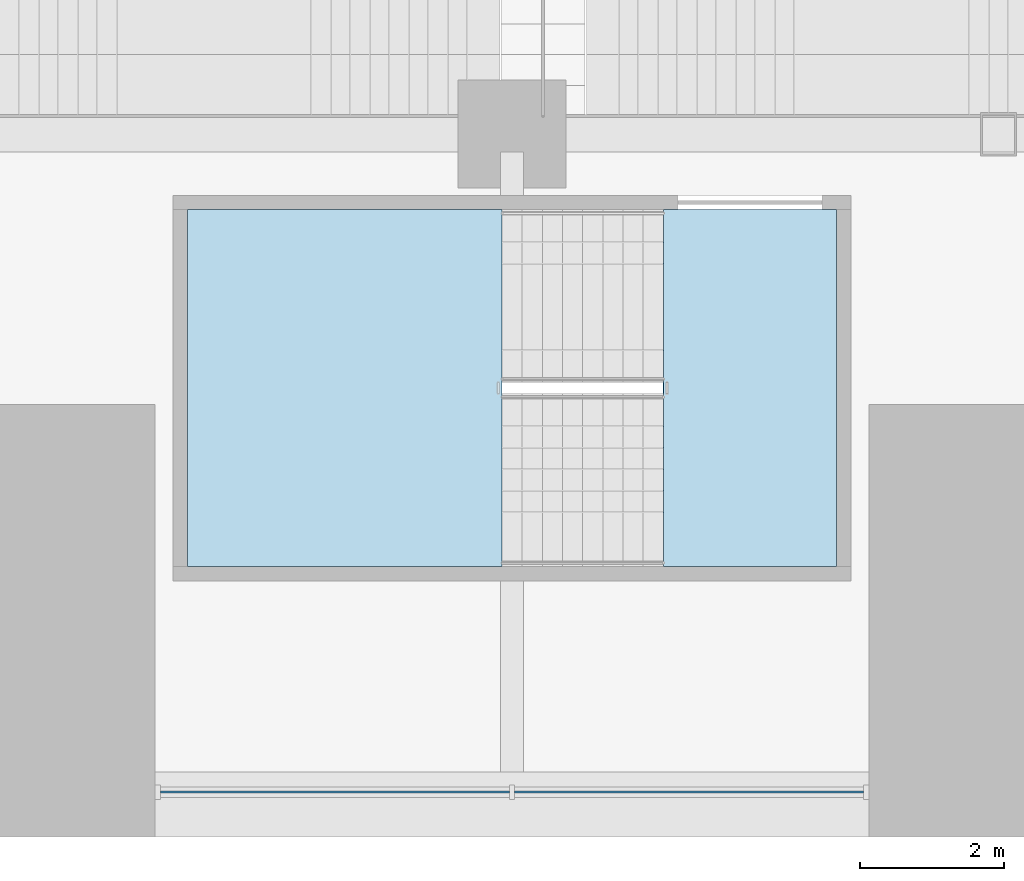
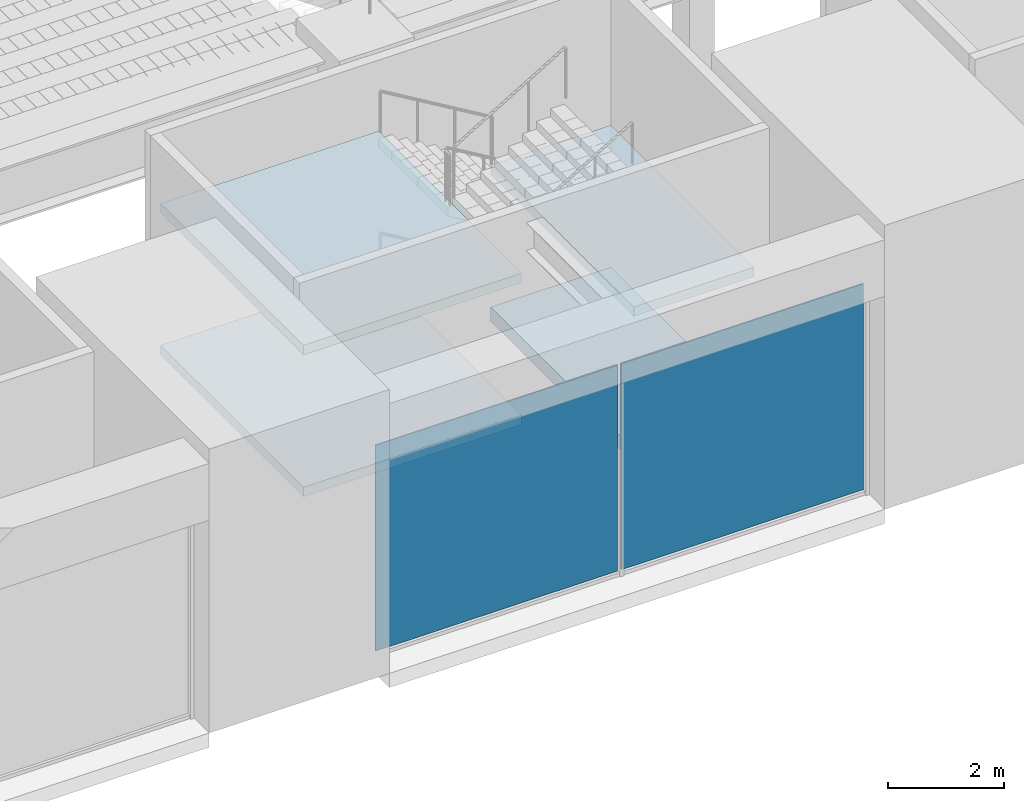
# One storey, part 15 of 61: 4 slabs, 2 plates, 2 elements without a shape of their own.
"""IFC4 building model written with IfcOpenShell, lengths in metres."""

from ifc_helpers import new_model, si_unit, direction, frame, origin, origin_2d, place, context, subcontext, project, spatial, polyline, rectangle, outline, extrude, material, layer, layer_set, type_object, element, aggregate, save


model = new_model("IFC4")

# Units and contexts
model_context = context("Model", 3, precision=1e-05, world=origin(), true_north=direction((0.0, 1.0)))
body_context = subcontext(model_context, "Body", "Model", "MODEL_VIEW")
ifc_project = project(units=[si_unit("LENGTHUNIT", "METRE"), si_unit("AREAUNIT", "SQUARE_METRE"), si_unit("VOLUMEUNIT", "CUBIC_METRE"), si_unit("PLANEANGLEUNIT", "RADIAN"), si_unit("MASSUNIT", "GRAM", prefix="KILO")], contexts=[model_context])

# Site, building, storey
site_placement = place(None, origin())
site = spatial("IfcSite", under=ifc_project, at=site_placement, CompositionType="ELEMENT")
building_placement = place(site_placement, origin())
building = spatial("IfcBuilding", under=site, at=building_placement, Name="Corbelhall Arena Tower", CompositionType="ELEMENT")
storey_placement = place(building_placement, frame((0.0, 0.0, 31.0)))
storey = spatial("IfcBuildingStorey", under=building, at=storey_placement, Name="L04", CompositionType="ELEMENT", Elevation=31.0)

# Stair, slabs
ifc_material_1 = material(Name="Reinforced concrete C40/50", Category="concrete")
stair_type = type_object("IfcStairType", Name="AR-EXIT-STAIR", PredefinedType="HALF_TURN_STAIR", material=ifc_material_1)
stair_placement = place(storey_placement, origin())
stair = element("IfcStair", 1, at=stair_placement, inside=storey, type_object=stair_type, Name="L04 exit stair AS14", PredefinedType="HALF_TURN_STAIR")
ifc_layer_1 = layer(ifc_material_1, 0.199951171875)
ifc_layer_set_1 = layer_set([ifc_layer_1], Name="AR-EXIT-LANDING")
slab_type_1 = type_object("IfcSlabType", Name="AR-EXIT-LANDING", PredefinedType="LANDING", material=ifc_layer_set_1)
slab_1_placement = place(storey_placement, frame((0.0, 0.0, 1.300048828125)))
slab_1 = element("IfcSlab", 2, at=slab_1_placement, type_object=slab_type_1, Name="AS14 landing 1", PredefinedType="LANDING", context=body_context, shape_type="SweptSolid", body=[
    extrude(outline(polyline([(-6.889892578125, -30.300048828125), (-11.25, -30.300048828125), (-11.25, -35.25), (-6.889892578125, -35.25), (-6.889892578125, -30.300048828125)])), origin(), (0.0, 0.0, 1.0), 0.199951171875),
])
slab_2_placement = place(storey_placement, frame((0.0, 0.0, 2.800048828125)))
slab_2 = element("IfcSlab", 3, at=slab_2_placement, type_object=slab_type_1, Name="AS14 landing 2", PredefinedType="LANDING", context=body_context, shape_type="SweptSolid", body=[
    extrude(outline(polyline([(-2.25, -30.300048828125), (-4.64990234375, -30.300048828125), (-4.64990234375, -35.25), (-2.25, -35.25), (-2.25, -30.300048828125)])), origin(), (0.0, 0.0, 1.0), 0.199951171875),
])
slab_3_placement = place(storey_placement, frame((0.0, 0.0, 4.300048828125)))
slab_3 = element("IfcSlab", 4, at=slab_3_placement, type_object=slab_type_1, Name="AS14 landing 3", PredefinedType="LANDING", context=body_context, shape_type="SweptSolid", body=[
    extrude(outline(polyline([(-6.889892578125, -30.300048828125), (-11.25, -30.300048828125), (-11.25, -35.25), (-6.889892578125, -35.25), (-6.889892578125, -30.300048828125)])), origin(), (0.0, 0.0, 1.0), 0.199951171875),
])
aggregate(stair, [slab_1, slab_2, slab_3])

# Slab
ifc_layer_2 = layer(ifc_material_1, 0.300048828125)
ifc_layer_set_2 = layer_set([ifc_layer_2], Name="AR-STAIR-FLOOR")
slab_type_2 = type_object("IfcSlabType", Name="AR-STAIR-FLOOR", PredefinedType="FLOOR", material=ifc_layer_set_2)
slab_4_placement = place(storey_placement, frame((0.0, 0.0, -0.300048828125)))
element("IfcSlab", 5, at=slab_4_placement, inside=storey, type_object=slab_type_2, Name="Stair AS14 floor", PredefinedType="FLOOR", context=body_context, shape_type="SweptSolid", body=[
    extrude(outline(polyline([(-2.25, -30.300048828125), (-2.25, -35.25), (-4.653076171875, -35.25), (-4.653076171875, -30.300048828125), (-2.25, -30.300048828125)])), origin(), (0.0, 0.0, 1.0), 0.300048828125),
])

# Curtain wall, plates
ifc_material_2 = material(Name="Aluminium black anodised", Category="aluminium")
ifc_layer_3 = layer(ifc_material_2, 0.239990234375)
ifc_layer_set_3 = layer_set([ifc_layer_3], Name="EV-CW4 Arena concourse glazing")
curtain_wall_type = type_object("IfcCurtainWallType", Name="EV-CW4 Arena concourse glazing", PredefinedType="NOTDEFINED", material=ifc_layer_set_3)
curtain_wall_placement = place(storey_placement, origin())
curtain_wall = element("IfcCurtainWall", 6, at=curtain_wall_placement, inside=storey, type_object=curtain_wall_type, Name="Curtain wall CW4", PredefinedType="NOTDEFINED")
ifc_material_3 = material(Name="Glass dark tinted laminated", Category="glass")
ifc_layer_4 = layer(ifc_material_3, 0.028076171875)
ifc_layer_set_4 = layer_set([ifc_layer_4], Name="EV-CW4-PANEL")
plate_type = type_object("IfcPlateType", Name="EV-CW4-PANEL", PredefinedType="CURTAIN_PANEL", material=ifc_layer_set_4)
plate_1_placement = place(storey_placement, frame((-9.206298828125, -38.3798828125, 0.074951171875), z_axis=(0.0, 0.0, 1.0), x_axis=(1.0, 0.0, 0.0)))
plate_1 = element("IfcPlate", 7, at=plate_1_placement, type_object=plate_type, Name="CW4 panel 1.1", PredefinedType="CURTAIN_PANEL", context=body_context, shape_type="SweptSolid", body=[
    extrude(rectangle(XDim=4.83740234375, YDim=0.028076171875, at=origin_2d()), origin(), (0.0, 0.0, 1.0), 4.35009765625),
])
plate_2_placement = place(storey_placement, frame((-4.293701171875, -38.3798828125, 0.074951171875), z_axis=(0.0, 0.0, 1.0), x_axis=(1.0, 0.0, 0.0)))
plate_2 = element("IfcPlate", 8, at=plate_2_placement, type_object=plate_type, Name="CW4 panel 2.1", PredefinedType="CURTAIN_PANEL", context=body_context, shape_type="SweptSolid", body=[
    extrude(rectangle(XDim=4.83740234375, YDim=0.028076171875, at=origin_2d()), origin(), (0.0, 0.0, 1.0), 4.35009765625),
])
aggregate(curtain_wall, [plate_1, plate_2])

save(model, "model.ifc")
